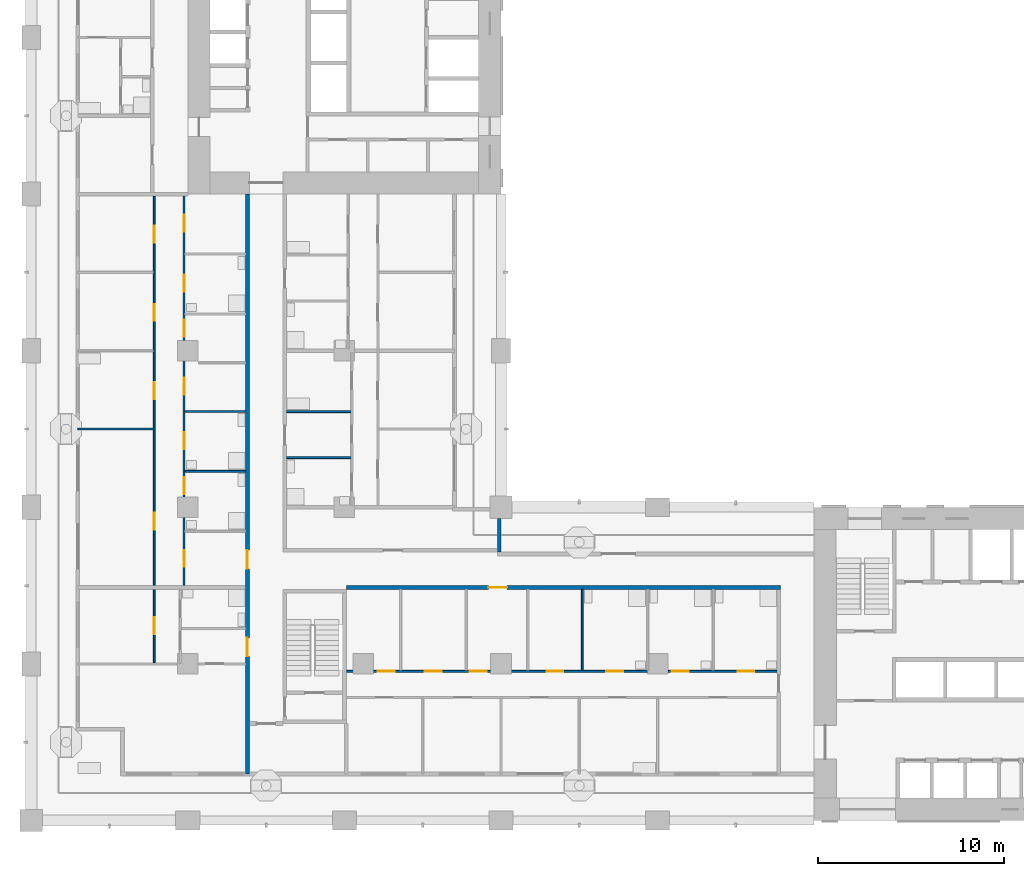
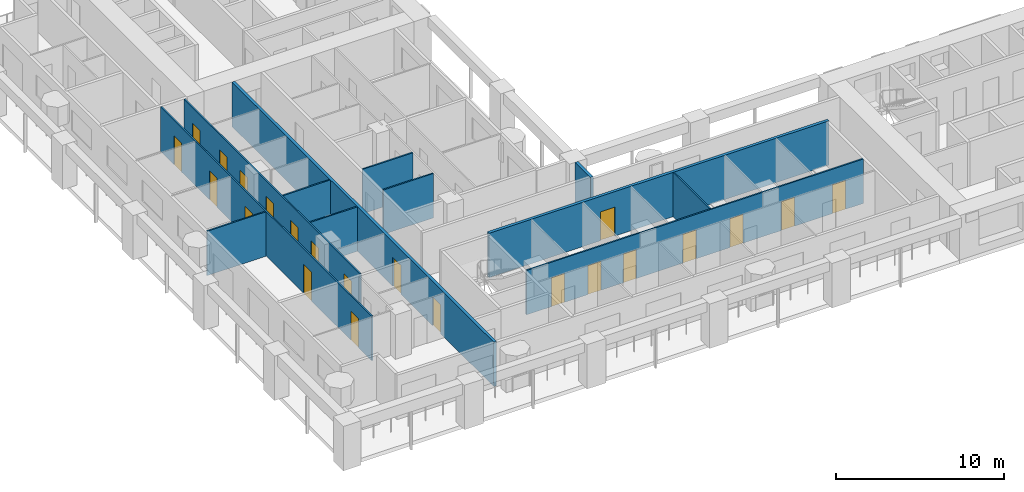
# One storey, part 3 of 19: 22 doors, 12 walls, 22 openings.
"""IFC4 building model written with IfcOpenShell, lengths in metres."""

import ifcopenshell
import ifcopenshell.guid

model = None  # the IFC model being written
_history = None  # IfcOwnerHistory: only IFC2X3 demands one
_inside = {}  # id of a spatial element -> (the spatial element, [elements in it])
_under = {}  # id of a project, library or spatial element -> (it, [spatial elements below it])
_declared = {}  # id of a project -> (the project, [libraries it declares])
_typed = {}  # id of a type object -> (the type object, [elements of that type])
_made_of = {}  # id of a material, layer set ... -> (it, [elements and type objects made of it])


def new_model(schema):
    """Start an empty IFC model of exactly this schema.

    Asked for "IFC4X3", IfcOpenShell would pick the latest addendum, in which some entities
    have other attributes; the version numbers below select the first issue.
    IFC2X3 requires an IfcOwnerHistory on every rooted entity: one is made here for all.
    """
    global model, _history
    if schema == "IFC4X3":
        model = ifcopenshell.file(schema_version=(4, 3, 0, 0))
    else:
        model = ifcopenshell.file(schema=schema)
    _inside.clear()
    _under.clear()
    _declared.clear()
    _typed.clear()
    _made_of.clear()
    _history = None
    if model.schema == "IFC2X3":
        org = make("IfcOrganization", Name="unknown")
        user = make(
            "IfcPersonAndOrganization",
            ThePerson=make("IfcPerson", FamilyName="unknown"),
            TheOrganization=org,
        )
        app = make(
            "IfcApplication",
            ApplicationDeveloper=org,
            Version="unknown",
            ApplicationFullName="unknown",
            ApplicationIdentifier="unknown",
        )
        _history = make(
            "IfcOwnerHistory",
            OwningUser=user,
            OwningApplication=app,
            ChangeAction="ADDED",
            CreationDate=0,
        )
    return model


def make(cls, **values):
    """One entity of the class cls with the attributes given. An attribute that is None is left unset."""
    return model.create_entity(
        cls, **{name: value for name, value in values.items() if value is not None}
    )


def rooted(cls, **values):
    """An entity with a GlobalId (a new one), such as an element, a storey or a relation."""
    return make(cls, GlobalId=ifcopenshell.guid.new(), OwnerHistory=_history, **values)


def si_unit(unit_type, name, prefix=None):
    """IfcSIUnit, for example si_unit("LENGTHUNIT", "METRE", prefix="MILLI")."""
    return make("IfcSIUnit", UnitType=unit_type, Prefix=prefix, Name=name)


def assignment(units):
    """IfcUnitAssignment: the units of a project."""
    return None if units is None else make("IfcUnitAssignment", Units=units)


def point(xyz):
    """IfcCartesianPoint."""
    return None if xyz is None else make("IfcCartesianPoint", Coordinates=xyz)


def direction(xyz):
    """IfcDirection."""
    return None if xyz is None else make("IfcDirection", DirectionRatios=xyz)


def frame(location, z_axis=None, x_axis=None):
    """IfcAxis2Placement3D, a coordinate frame: its origin and axes. An axis left out is left unset."""
    return make(
        "IfcAxis2Placement3D",
        Location=point(location),
        Axis=direction(z_axis),
        RefDirection=direction(x_axis),
    )


def frame_2d(location, x_axis=None):
    """IfcAxis2Placement2D, a coordinate frame in the plane: its origin and x axis."""
    return make(
        "IfcAxis2Placement2D", Location=point(location), RefDirection=direction(x_axis)
    )


def origin():
    """The frame at (0, 0, 0) with its axes left unset."""
    return frame((0.0, 0.0, 0.0))


def place(relative_to, where):
    """IfcLocalPlacement: puts the frame where relative to a parent placement (None: the world)."""
    return make(
        "IfcLocalPlacement", PlacementRelTo=relative_to, RelativePlacement=where
    )


def context(
    kind, dimensions, precision=None, world=None, true_north=None, identifier=None
):
    """IfcGeometricRepresentationContext, for example the 3D "Model" context."""
    return make(
        "IfcGeometricRepresentationContext",
        ContextIdentifier=identifier,
        ContextType=kind,
        CoordinateSpaceDimension=dimensions,
        Precision=precision,
        WorldCoordinateSystem=world,
        TrueNorth=true_north,
    )


def subcontext(parent, identifier, kind, view, scale=None):
    """IfcGeometricRepresentationSubContext, for example "Body" below "Model"."""
    return make(
        "IfcGeometricRepresentationSubContext",
        ContextIdentifier=identifier,
        ContextType=kind,
        ParentContext=parent,
        TargetScale=scale,
        TargetView=view,
    )


def project(units=None, contexts=None):
    """IfcProject with its units and contexts."""
    return rooted(
        "IfcProject",
        Name="project",
        RepresentationContexts=contexts,
        UnitsInContext=assignment(units),
    )


def spatial(cls, under=None, at=None, **own):
    """A site, building, storey or space (cls), placed at a placement, below another one or the project."""
    s = rooted(cls, ObjectPlacement=at, **own)
    if under is not None:
        _under.setdefault(under.id(), (under, []))[1].append(s)
    return s


def profile(cls, at=None, kind="AREA", **sizes):
    """A parametric profile (cls). Its sizes go by their IFC names, for example OverallWidth=200.0."""
    return make(cls, ProfileType=kind, Position=at, **sizes)


def rectangle(**sizes):
    """IfcRectangleProfileDef."""
    return profile("IfcRectangleProfileDef", **sizes)


def extrude(swept, where, along, depth):
    """IfcExtrudedAreaSolid: the profile swept, set in the frame where, extruded along a direction by depth."""
    return make(
        "IfcExtrudedAreaSolid",
        SweptArea=swept,
        Position=where,
        ExtrudedDirection=direction(along),
        Depth=depth,
    )


def shape(context_of_items, identifier, shape_type, items):
    """IfcShapeRepresentation: the items that make up one representation, for example the "Body"."""
    return make(
        "IfcShapeRepresentation",
        ContextOfItems=context_of_items,
        RepresentationIdentifier=identifier,
        RepresentationType=shape_type,
        Items=items,
    )


def material(Name=None, Category=None):
    """IfcMaterial."""
    return make("IfcMaterial", Name=Name, Category=Category)


def layer(
    of_material, thickness, ventilated=None, Name=None, Category=None, Priority=None
):
    """IfcMaterialLayer: one layer of a wall or slab, of a material (None: an air gap)."""
    return make(
        "IfcMaterialLayer",
        Material=of_material,
        LayerThickness=thickness,
        IsVentilated=ventilated,
        Name=Name,
        Category=Category,
        Priority=Priority,
    )


def layer_set(layers, Name=None):
    """IfcMaterialLayerSet."""
    return make("IfcMaterialLayerSet", MaterialLayers=layers, LayerSetName=Name)


def made_of(thing, what):
    """Note that an element or type object is made of a material, layer set ...; save() writes the relation."""
    if what is not None:
        _made_of.setdefault(what.id(), (what, []))[1].append(thing)
    return thing


def type_object(cls, material=None, **own):
    """A type object (cls), such as IfcWallType, which elements share."""
    return made_of(rooted(cls, **own), material)


def element(
    cls,
    number,
    at=None,
    inside=None,
    cuts=None,
    type_object=None,
    material=None,
    context=None,
    identifier="Body",
    shape_type=None,
    held_by="IfcProductDefinitionShape",
    body=None,
    shapes=None,
    **own,
):
    """One element of the class cls, such as IfcWall. Its Tag is "e" and its number.

    at: its placement. inside: the storey or other place that contains it. cuts: it is an
    opening in that element (IfcRelVoidsElement). A single representation is given by context,
    identifier, shape_type and body (its items); several are given by shapes. held_by: the class
    of the entity that holds the representations. save() writes the other relations.
    """
    e = rooted(cls, Tag="e%d" % number, ObjectPlacement=at, **own)
    if body is not None:
        shapes = [shape(context, identifier, shape_type, body)]
    if shapes is not None:
        e.Representation = make(held_by, Representations=shapes)
    if inside is not None:
        _inside.setdefault(inside.id(), (inside, []))[1].append(e)
    if cuts is not None:
        rooted(
            "IfcRelVoidsElement", RelatingBuildingElement=cuts, RelatedOpeningElement=e
        )
    if type_object is not None:
        _typed.setdefault(type_object.id(), (type_object, []))[1].append(e)
    return made_of(e, material)


def fill(opening, filler):
    """IfcRelFillsElement: the door or window that sits in an opening."""
    return rooted(
        "IfcRelFillsElement",
        RelatingOpeningElement=opening,
        RelatedBuildingElement=filler,
    )


def aggregate(whole, parts):
    """IfcRelAggregates: a whole, such as a stair, and the parts it consists of."""
    return rooted("IfcRelAggregates", RelatingObject=whole, RelatedObjects=parts)


def save(model, path):
    """Write the relations noted so far, then the file.

    IfcRelAggregates (storeys below a building ...), IfcRelContainedInSpatialStructure (elements
    in a storey), IfcRelDefinesByType, IfcRelAssociatesMaterial and IfcRelDeclares: one each for
    every whole, place, type object, material and project.
    """
    for whole, parts in _under.values():
        aggregate(whole, parts)
    for where, things in _inside.values():
        rooted(
            "IfcRelContainedInSpatialStructure",
            RelatedElements=things,
            RelatingStructure=where,
        )
    for kind, things in _typed.values():
        rooted("IfcRelDefinesByType", RelatedObjects=things, RelatingType=kind)
    for what, things in _made_of.values():
        rooted("IfcRelAssociatesMaterial", RelatedObjects=things, RelatingMaterial=what)
    for by, libraries in _declared.values():
        rooted("IfcRelDeclares", RelatingContext=by, RelatedDefinitions=libraries)
    model.write(path)


model = new_model("IFC4")

# Units and contexts
model_context = context("Model", 3, precision=1e-05, world=origin(), true_north=direction((0.0, 1.0)))
body_context = subcontext(model_context, "Body", "Model", "MODEL_VIEW")
ifc_project = project(units=[si_unit("LENGTHUNIT", "METRE"), si_unit("AREAUNIT", "SQUARE_METRE"), si_unit("VOLUMEUNIT", "CUBIC_METRE"), si_unit("PLANEANGLEUNIT", "RADIAN"), si_unit("MASSUNIT", "GRAM", prefix="KILO")], contexts=[model_context])

# Site, building, storey
site_placement = place(None, origin())
site = spatial("IfcSite", under=ifc_project, at=site_placement, CompositionType="ELEMENT")
building_placement = place(site_placement, origin())
building = spatial("IfcBuilding", under=site, at=building_placement, Name="Vermilion Gate Residences", CompositionType="ELEMENT")
storey_placement = place(building_placement, frame((0.0, 0.0, 123.199951171875)))
storey = spatial("IfcBuildingStorey", under=building, at=storey_placement, Name="L31", CompositionType="ELEMENT", Elevation=123.199951171875)

# Wall
ifc_material_1 = material(Name="Insulated steel stud wall with terracotta rainscreen", Category="masonry")
ifc_layer_1 = layer(ifc_material_1, 0.199951171875)
ifc_layer_set_1 = layer_set([ifc_layer_1], Name="EXTERNAL WALL 200 TERRACOTTA RAINSCREEN")
wall_type_1 = type_object("IfcWallType", Name="EXTERNAL WALL 200 TERRACOTTA RAINSCREEN", PredefinedType="SOLIDWALL", material=ifc_layer_set_1)
wall_1_placement = place(storey_placement, frame((25.10009765625, 22.800048828125, 0.0), z_axis=(0.0, 0.0, 1.0), x_axis=(0.0, 1.0, 0.0)))
element("IfcWall", 1, at=wall_1_placement, inside=storey, type_object=wall_type_1, Name="External wall", PredefinedType="SOLIDWALL", context=body_context, shape_type="SweptSolid", body=[
    extrude(rectangle(XDim=1.800048828125, YDim=0.199951171875, at=frame_2d((0.89990234375, 0.0))), origin(), (0.0, 0.0, 1.0), 3.219970703125),
])

# Wall, openings, doors
ifc_material_2 = material(Name="Plasterboard on steel studs", Category="steel")
ifc_layer_2 = layer(ifc_material_2, 0.10009765625)
ifc_layer_set_2 = layer_set([ifc_layer_2], Name="PARTITION 100")
wall_type_2 = type_object("IfcWallType", Name="PARTITION 100", PredefinedType="PARTITIONING", material=ifc_layer_set_2)
wall_2_placement = place(storey_placement, frame((16.89990234375, 16.39990234375, 0.0), z_axis=(0.0, 0.0, 1.0), x_axis=(1.0, 0.0, 0.0)))
wall_2 = element("IfcWall", 2, at=wall_2_placement, inside=storey, type_object=wall_type_2, Name="Partition", PredefinedType="PARTITIONING", context=body_context, shape_type="SweptSolid", body=[
    extrude(rectangle(XDim=23.10009765625, YDim=0.10009765625, at=frame_2d((11.550048828125, 0.0))), origin(), (0.0, 0.0, 1.0), 3.219970703125),
])
opening_1_placement = place(wall_2_placement, frame((6.62890625, 0.0, 0.0)))
opening_1 = element("IfcOpeningElement", 3, at=opening_1_placement, cuts=wall_2, Name="Opening DA30007", PredefinedType="OPENING", context=body_context, shape_type="SweptSolid", body=[
    extrude(rectangle(XDim=0.89990234375, YDim=2.10009765625, at=frame_2d((0.449951171875, 1.050048828125))), frame((0.0, 0.06005859375, 0.0), z_axis=(0.0, -1.0, 0.0), x_axis=(1.0, 0.0, 0.0)), (0.0, 0.0, 1.0), 0.1201171875),
])
opening_2_placement = place(wall_2_placement, frame((1.699951171875, 0.0, 0.0)))
opening_2 = element("IfcOpeningElement", 4, at=opening_2_placement, cuts=wall_2, Name="Opening DA30008", PredefinedType="OPENING", context=body_context, shape_type="SweptSolid", body=[
    extrude(rectangle(XDim=0.89990234375, YDim=2.10009765625, at=frame_2d((0.449951171875, 1.050048828125))), frame((0.0, 0.06005859375, 0.0), z_axis=(0.0, -1.0, 0.0), x_axis=(1.0, 0.0, 0.0)), (0.0, 0.0, 1.0), 0.1201171875),
])
opening_3_placement = place(wall_2_placement, frame((4.214111328125, 0.0, 0.0)))
opening_3 = element("IfcOpeningElement", 5, at=opening_3_placement, cuts=wall_2, Name="Opening DA30009", PredefinedType="OPENING", context=body_context, shape_type="SweptSolid", body=[
    extrude(rectangle(XDim=0.89990234375, YDim=2.10009765625, at=frame_2d((0.449951171875, 1.050048828125))), frame((0.0, 0.06005859375, 0.0), z_axis=(0.0, -1.0, 0.0), x_axis=(1.0, 0.0, 0.0)), (0.0, 0.0, 1.0), 0.1201171875),
])
opening_4_placement = place(wall_2_placement, frame((10.742919921875, 0.0, 0.0)))
opening_4 = element("IfcOpeningElement", 6, at=opening_4_placement, cuts=wall_2, Name="Opening DA30010", PredefinedType="OPENING", context=body_context, shape_type="SweptSolid", body=[
    extrude(rectangle(XDim=0.89990234375, YDim=2.10009765625, at=frame_2d((0.449951171875, 1.050048828125))), frame((0.0, 0.06005859375, 0.0), z_axis=(0.0, -1.0, 0.0), x_axis=(1.0, 0.0, 0.0)), (0.0, 0.0, 1.0), 0.1201171875),
])
opening_5_placement = place(wall_2_placement, frame((13.95703125, 0.0, 0.0)))
opening_5 = element("IfcOpeningElement", 7, at=opening_5_placement, cuts=wall_2, Name="Opening DA30011", PredefinedType="OPENING", context=body_context, shape_type="SweptSolid", body=[
    extrude(rectangle(XDim=0.89990234375, YDim=2.10009765625, at=frame_2d((0.449951171875, 1.050048828125))), frame((0.0, 0.06005859375, 0.0), z_axis=(0.0, -1.0, 0.0), x_axis=(1.0, 0.0, 0.0)), (0.0, 0.0, 1.0), 0.1201171875),
])
opening_6_placement = place(wall_2_placement, frame((17.471923828125, 0.0, 0.0)))
opening_6 = element("IfcOpeningElement", 8, at=opening_6_placement, cuts=wall_2, Name="Opening DA30012", PredefinedType="OPENING", context=body_context, shape_type="SweptSolid", body=[
    extrude(rectangle(XDim=0.89990234375, YDim=2.10009765625, at=frame_2d((0.449951171875, 1.050048828125))), frame((0.0, 0.06005859375, 0.0), z_axis=(0.0, -1.0, 0.0), x_axis=(1.0, 0.0, 0.0)), (0.0, 0.0, 1.0), 0.1201171875),
])
opening_7_placement = place(wall_2_placement, frame((20.986083984375, 0.0, 0.0)))
opening_7 = element("IfcOpeningElement", 9, at=opening_7_placement, cuts=wall_2, Name="Opening DA30013", PredefinedType="OPENING", context=body_context, shape_type="SweptSolid", body=[
    extrude(rectangle(XDim=0.89990234375, YDim=2.10009765625, at=frame_2d((0.449951171875, 1.050048828125))), frame((0.0, 0.06005859375, 0.0), z_axis=(0.0, -1.0, 0.0), x_axis=(1.0, 0.0, 0.0)), (0.0, 0.0, 1.0), 0.1201171875),
])
ifc_material_3 = material(Name="Timber", Category="wood")
door_type_1 = type_object("IfcDoorType", Name="INTERIOR DOOR 900 X 2100", OperationType="SINGLE_SWING_LEFT", PredefinedType="DOOR", material=ifc_material_3)
door_1_placement = place(opening_1_placement, origin())
door_1 = element("IfcDoor", 10, at=door_1_placement, inside=storey, type_object=door_type_1, Name="Interior door", OperationType="SINGLE_SWING_LEFT", OverallHeight=2.10009765625, OverallWidth=0.89990234375, PredefinedType="DOOR", context=body_context, shape_type="SweptSolid", body=[
    extrude(rectangle(XDim=0.89990234375, YDim=2.10009765625, at=frame_2d((0.449951171875, 1.050048828125))), frame((0.0, 0.02490234375, 0.0), z_axis=(0.0, -1.0, 0.0), x_axis=(1.0, 0.0, 0.0)), (0.0, 0.0, 1.0), 0.050048828125),
])
fill(opening_1, door_1)
door_2_placement = place(opening_2_placement, origin())
door_2 = element("IfcDoor", 11, at=door_2_placement, inside=storey, type_object=door_type_1, Name="Interior door", OperationType="SINGLE_SWING_LEFT", OverallHeight=2.10009765625, OverallWidth=0.89990234375, PredefinedType="DOOR", context=body_context, shape_type="SweptSolid", body=[
    extrude(rectangle(XDim=0.89990234375, YDim=2.10009765625, at=frame_2d((0.449951171875, 1.050048828125))), frame((0.0, 0.02490234375, 0.0), z_axis=(0.0, -1.0, 0.0), x_axis=(1.0, 0.0, 0.0)), (0.0, 0.0, 1.0), 0.050048828125),
])
fill(opening_2, door_2)
door_3_placement = place(opening_3_placement, origin())
door_3 = element("IfcDoor", 12, at=door_3_placement, inside=storey, type_object=door_type_1, Name="Interior door", OperationType="SINGLE_SWING_LEFT", OverallHeight=2.10009765625, OverallWidth=0.89990234375, PredefinedType="DOOR", context=body_context, shape_type="SweptSolid", body=[
    extrude(rectangle(XDim=0.89990234375, YDim=2.10009765625, at=frame_2d((0.449951171875, 1.050048828125))), frame((0.0, 0.02490234375, 0.0), z_axis=(0.0, -1.0, 0.0), x_axis=(1.0, 0.0, 0.0)), (0.0, 0.0, 1.0), 0.050048828125),
])
fill(opening_3, door_3)
door_4_placement = place(opening_4_placement, origin())
door_4 = element("IfcDoor", 13, at=door_4_placement, inside=storey, type_object=door_type_1, Name="Interior door", OperationType="SINGLE_SWING_LEFT", OverallHeight=2.10009765625, OverallWidth=0.89990234375, PredefinedType="DOOR", context=body_context, shape_type="SweptSolid", body=[
    extrude(rectangle(XDim=0.89990234375, YDim=2.10009765625, at=frame_2d((0.449951171875, 1.050048828125))), frame((0.0, 0.02490234375, 0.0), z_axis=(0.0, -1.0, 0.0), x_axis=(1.0, 0.0, 0.0)), (0.0, 0.0, 1.0), 0.050048828125),
])
fill(opening_4, door_4)
door_5_placement = place(opening_5_placement, origin())
door_5 = element("IfcDoor", 14, at=door_5_placement, inside=storey, type_object=door_type_1, Name="Interior door", OperationType="SINGLE_SWING_RIGHT", OverallHeight=2.10009765625, OverallWidth=0.89990234375, PredefinedType="DOOR", context=body_context, shape_type="SweptSolid", body=[
    extrude(rectangle(XDim=0.89990234375, YDim=2.10009765625, at=frame_2d((0.449951171875, 1.050048828125))), frame((0.0, 0.02490234375, 0.0), z_axis=(0.0, -1.0, 0.0), x_axis=(1.0, 0.0, 0.0)), (0.0, 0.0, 1.0), 0.050048828125),
])
fill(opening_5, door_5)
door_6_placement = place(opening_6_placement, origin())
door_6 = element("IfcDoor", 15, at=door_6_placement, inside=storey, type_object=door_type_1, Name="Interior door", OperationType="SINGLE_SWING_LEFT", OverallHeight=2.10009765625, OverallWidth=0.89990234375, PredefinedType="DOOR", context=body_context, shape_type="SweptSolid", body=[
    extrude(rectangle(XDim=0.89990234375, YDim=2.10009765625, at=frame_2d((0.449951171875, 1.050048828125))), frame((0.0, 0.02490234375, 0.0), z_axis=(0.0, -1.0, 0.0), x_axis=(1.0, 0.0, 0.0)), (0.0, 0.0, 1.0), 0.050048828125),
])
fill(opening_6, door_6)
door_7_placement = place(opening_7_placement, origin())
door_7 = element("IfcDoor", 16, at=door_7_placement, inside=storey, type_object=door_type_1, Name="Interior door", OperationType="SINGLE_SWING_RIGHT", OverallHeight=2.10009765625, OverallWidth=0.89990234375, PredefinedType="DOOR", context=body_context, shape_type="SweptSolid", body=[
    extrude(rectangle(XDim=0.89990234375, YDim=2.10009765625, at=frame_2d((0.449951171875, 1.050048828125))), frame((0.0, 0.02490234375, 0.0), z_axis=(0.0, -1.0, 0.0), x_axis=(1.0, 0.0, 0.0)), (0.0, 0.0, 1.0), 0.050048828125),
])
fill(opening_7, door_7)

# Walls
wall_3_placement = place(storey_placement, frame((8.25, 27.12890625, 0.0), z_axis=(0.0, 0.0, 1.0), x_axis=(1.0, 0.0, 0.0)))
element("IfcWall", 17, at=wall_3_placement, inside=storey, type_object=wall_type_2, Name="Partition", PredefinedType="PARTITIONING", context=body_context, shape_type="SweptSolid", body=[
    extrude(rectangle(XDim=3.25, YDim=0.10009765625, at=frame_2d((1.625, 0.0))), origin(), (0.0, 0.0, 1.0), 3.219970703125),
])
wall_4_placement = place(storey_placement, frame((13.699951171875, 27.866943359375, 0.0), z_axis=(0.0, 0.0, 1.0), x_axis=(1.0, 0.0, 0.0)))
element("IfcWall", 18, at=wall_4_placement, inside=storey, type_object=wall_type_2, Name="Partition", PredefinedType="PARTITIONING", context=body_context, shape_type="SweptSolid", body=[
    extrude(rectangle(XDim=3.449951171875, YDim=0.10009765625, at=frame_2d((1.72509765625, 0.0))), origin(), (0.0, 0.0, 1.0), 3.219970703125),
])
wall_5_placement = place(storey_placement, frame((2.5, 29.39990234375, 0.0), z_axis=(0.0, 0.0, 1.0), x_axis=(1.0, 0.0, 0.0)))
element("IfcWall", 19, at=wall_5_placement, inside=storey, type_object=wall_type_2, Name="Partition", PredefinedType="PARTITIONING", context=body_context, shape_type="SweptSolid", body=[
    extrude(rectangle(XDim=4.050048828125, YDim=0.10009765625, at=frame_2d((2.02490234375, 0.0))), origin(), (0.0, 0.0, 1.0), 3.219970703125),
])
wall_6_placement = place(storey_placement, frame((13.699951171875, 30.3330078125, 0.0), z_axis=(0.0, 0.0, 1.0), x_axis=(1.0, 0.0, 0.0)))
element("IfcWall", 20, at=wall_6_placement, inside=storey, type_object=wall_type_2, Name="Partition", PredefinedType="PARTITIONING", context=body_context, shape_type="SweptSolid", body=[
    extrude(rectangle(XDim=3.449951171875, YDim=0.10009765625, at=frame_2d((1.72509765625, 0.0))), origin(), (0.0, 0.0, 1.0), 3.219970703125),
])
wall_7_placement = place(storey_placement, frame((8.25, 30.343017578125, 0.0), z_axis=(0.0, 0.0, 1.0), x_axis=(1.0, 0.0, 0.0)))
element("IfcWall", 21, at=wall_7_placement, inside=storey, type_object=wall_type_2, Name="Partition", PredefinedType="PARTITIONING", context=body_context, shape_type="SweptSolid", body=[
    extrude(rectangle(XDim=3.25, YDim=0.10009765625, at=frame_2d((1.625, 0.0))), origin(), (0.0, 0.0, 1.0), 3.219970703125),
])

# Wall, openings, doors
wall_8_placement = place(storey_placement, frame((6.60009765625, 16.85009765625, 0.0), z_axis=(0.0, 0.0, 1.0), x_axis=(0.0, 1.0, 0.0)))
wall_8 = element("IfcWall", 22, at=wall_8_placement, inside=storey, type_object=wall_type_2, Name="Partition", PredefinedType="PARTITIONING", context=body_context, shape_type="SweptSolid", body=[
    extrude(rectangle(XDim=25.0498046875, YDim=0.10009765625, at=frame_2d((12.52490234375, 0.0))), origin(), (0.0, 0.0, 1.0), 3.219970703125),
])
opening_8_placement = place(wall_8_placement, frame((1.550048828125, 0.0, 0.0)))
opening_8 = element("IfcOpeningElement", 23, at=opening_8_placement, cuts=wall_8, Name="Opening DA30022", PredefinedType="OPENING", context=body_context, shape_type="SweptSolid", body=[
    extrude(rectangle(XDim=0.89990234375, YDim=2.10009765625, at=frame_2d((0.449951171875, 1.050048828125))), frame((0.0, 0.06005859375, 0.0), z_axis=(0.0, -1.0, 0.0), x_axis=(1.0, 0.0, 0.0)), (0.0, 0.0, 1.0), 0.1201171875),
])
opening_9_placement = place(wall_8_placement, frame((7.14990234375, 0.0, 0.0)))
opening_9 = element("IfcOpeningElement", 24, at=opening_9_placement, cuts=wall_8, Name="Opening DA30023", PredefinedType="OPENING", context=body_context, shape_type="SweptSolid", body=[
    extrude(rectangle(XDim=0.89990234375, YDim=2.10009765625, at=frame_2d((0.449951171875, 1.050048828125))), frame((0.0, 0.06005859375, 0.0), z_axis=(0.0, -1.0, 0.0), x_axis=(1.0, 0.0, 0.0)), (0.0, 0.0, 1.0), 0.1201171875),
])
opening_10_placement = place(wall_8_placement, frame((14.14990234375, 0.0, 0.0)))
opening_10 = element("IfcOpeningElement", 25, at=opening_10_placement, cuts=wall_8, Name="Opening DA30024", PredefinedType="OPENING", context=body_context, shape_type="SweptSolid", body=[
    extrude(rectangle(XDim=0.89990234375, YDim=2.10009765625, at=frame_2d((0.449951171875, 1.050048828125))), frame((0.0, 0.06005859375, 0.0), z_axis=(0.0, -1.0, 0.0), x_axis=(1.0, 0.0, 0.0)), (0.0, 0.0, 1.0), 0.1201171875),
])
opening_11_placement = place(wall_8_placement, frame((18.35009765625, 0.0, 0.0)))
opening_11 = element("IfcOpeningElement", 26, at=opening_11_placement, cuts=wall_8, Name="Opening DA30025", PredefinedType="OPENING", context=body_context, shape_type="SweptSolid", body=[
    extrude(rectangle(XDim=0.89990234375, YDim=2.10009765625, at=frame_2d((0.449951171875, 1.050048828125))), frame((0.0, 0.06005859375, 0.0), z_axis=(0.0, -1.0, 0.0), x_axis=(1.0, 0.0, 0.0)), (0.0, 0.0, 1.0), 0.1201171875),
])
opening_12_placement = place(wall_8_placement, frame((22.550048828125, 0.0, 0.0)))
opening_12 = element("IfcOpeningElement", 27, at=opening_12_placement, cuts=wall_8, Name="Opening DA30026", PredefinedType="OPENING", context=body_context, shape_type="SweptSolid", body=[
    extrude(rectangle(XDim=0.89990234375, YDim=2.10009765625, at=frame_2d((0.449951171875, 1.050048828125))), frame((0.0, 0.06005859375, 0.0), z_axis=(0.0, -1.0, 0.0), x_axis=(1.0, 0.0, 0.0)), (0.0, 0.0, 1.0), 0.1201171875),
])
door_8_placement = place(opening_8_placement, origin())
door_8 = element("IfcDoor", 28, at=door_8_placement, inside=storey, type_object=door_type_1, Name="Interior door", OperationType="SINGLE_SWING_RIGHT", OverallHeight=2.10009765625, OverallWidth=0.89990234375, PredefinedType="DOOR", context=body_context, shape_type="SweptSolid", body=[
    extrude(rectangle(XDim=0.89990234375, YDim=2.10009765625, at=frame_2d((0.449951171875, 1.050048828125))), frame((0.0, 0.02490234375, 0.0), z_axis=(0.0, -1.0, 0.0), x_axis=(1.0, 0.0, 0.0)), (0.0, 0.0, 1.0), 0.050048828125),
])
fill(opening_8, door_8)
door_9_placement = place(opening_9_placement, origin())
door_9 = element("IfcDoor", 29, at=door_9_placement, inside=storey, type_object=door_type_1, Name="Interior door", OperationType="SINGLE_SWING_LEFT", OverallHeight=2.10009765625, OverallWidth=0.89990234375, PredefinedType="DOOR", context=body_context, shape_type="SweptSolid", body=[
    extrude(rectangle(XDim=0.89990234375, YDim=2.10009765625, at=frame_2d((0.449951171875, 1.050048828125))), frame((0.0, 0.02490234375, 0.0), z_axis=(0.0, -1.0, 0.0), x_axis=(1.0, 0.0, 0.0)), (0.0, 0.0, 1.0), 0.050048828125),
])
fill(opening_9, door_9)
door_10_placement = place(opening_10_placement, origin())
door_10 = element("IfcDoor", 30, at=door_10_placement, inside=storey, type_object=door_type_1, Name="Interior door", OperationType="SINGLE_SWING_LEFT", OverallHeight=2.10009765625, OverallWidth=0.89990234375, PredefinedType="DOOR", context=body_context, shape_type="SweptSolid", body=[
    extrude(rectangle(XDim=0.89990234375, YDim=2.10009765625, at=frame_2d((0.449951171875, 1.050048828125))), frame((0.0, 0.02490234375, 0.0), z_axis=(0.0, -1.0, 0.0), x_axis=(1.0, 0.0, 0.0)), (0.0, 0.0, 1.0), 0.050048828125),
])
fill(opening_10, door_10)
door_11_placement = place(opening_11_placement, origin())
door_11 = element("IfcDoor", 31, at=door_11_placement, inside=storey, type_object=door_type_1, Name="Interior door", OperationType="SINGLE_SWING_LEFT", OverallHeight=2.10009765625, OverallWidth=0.89990234375, PredefinedType="DOOR", context=body_context, shape_type="SweptSolid", body=[
    extrude(rectangle(XDim=0.89990234375, YDim=2.10009765625, at=frame_2d((0.449951171875, 1.050048828125))), frame((0.0, 0.02490234375, 0.0), z_axis=(0.0, -1.0, 0.0), x_axis=(1.0, 0.0, 0.0)), (0.0, 0.0, 1.0), 0.050048828125),
])
fill(opening_11, door_11)
door_12_placement = place(opening_12_placement, origin())
door_12 = element("IfcDoor", 32, at=door_12_placement, inside=storey, type_object=door_type_1, Name="Interior door", OperationType="SINGLE_SWING_LEFT", OverallHeight=2.10009765625, OverallWidth=0.89990234375, PredefinedType="DOOR", context=body_context, shape_type="SweptSolid", body=[
    extrude(rectangle(XDim=0.89990234375, YDim=2.10009765625, at=frame_2d((0.449951171875, 1.050048828125))), frame((0.0, 0.02490234375, 0.0), z_axis=(0.0, -1.0, 0.0), x_axis=(1.0, 0.0, 0.0)), (0.0, 0.0, 1.0), 0.050048828125),
])
fill(opening_12, door_12)

wall_9_placement = place(storey_placement, frame((8.199951171875, 21.0, 0.0), z_axis=(0.0, 0.0, 1.0), x_axis=(0.0, 1.0, 0.0)))
wall_9 = element("IfcWall", 33, at=wall_9_placement, inside=storey, type_object=wall_type_2, Name="Partition", PredefinedType="PARTITIONING", context=body_context, shape_type="SweptSolid", body=[
    extrude(rectangle(XDim=20.89990234375, YDim=0.10009765625, at=frame_2d((10.449951171875, 0.0))), origin(), (0.0, 0.0, 1.0), 3.219970703125),
])
opening_13_placement = place(wall_9_placement, frame((1.0, 0.0, 0.0)))
opening_13 = element("IfcOpeningElement", 34, at=opening_13_placement, cuts=wall_9, Name="Opening DA30029", PredefinedType="OPENING", context=body_context, shape_type="SweptSolid", body=[
    extrude(rectangle(XDim=0.89990234375, YDim=2.10009765625, at=frame_2d((0.449951171875, 1.050048828125))), frame((0.0, 0.06005859375, 0.0), z_axis=(0.0, -1.0, 0.0), x_axis=(1.0, 0.0, 0.0)), (0.0, 0.0, 1.0), 0.1201171875),
])
opening_14_placement = place(wall_9_placement, frame((4.9140625, 0.0, 0.0)))
opening_14 = element("IfcOpeningElement", 35, at=opening_14_placement, cuts=wall_9, Name="Opening DA30030", PredefinedType="OPENING", context=body_context, shape_type="SweptSolid", body=[
    extrude(rectangle(XDim=0.89990234375, YDim=2.10009765625, at=frame_2d((0.449951171875, 1.050048828125))), frame((0.0, 0.06005859375, 0.0), z_axis=(0.0, -1.0, 0.0), x_axis=(1.0, 0.0, 0.0)), (0.0, 0.0, 1.0), 0.1201171875),
])
opening_15_placement = place(wall_9_placement, frame((7.3291015625, 0.0, 0.0)))
opening_15 = element("IfcOpeningElement", 36, at=opening_15_placement, cuts=wall_9, Name="Opening DA30031", PredefinedType="OPENING", context=body_context, shape_type="SweptSolid", body=[
    extrude(rectangle(XDim=0.89990234375, YDim=2.10009765625, at=frame_2d((0.449951171875, 1.050048828125))), frame((0.0, 0.06005859375, 0.0), z_axis=(0.0, -1.0, 0.0), x_axis=(1.0, 0.0, 0.0)), (0.0, 0.0, 1.0), 0.1201171875),
])
opening_16_placement = place(wall_9_placement, frame((10.242919921875, 0.0, 0.0)))
opening_16 = element("IfcOpeningElement", 37, at=opening_16_placement, cuts=wall_9, Name="Opening DA30032", PredefinedType="OPENING", context=body_context, shape_type="SweptSolid", body=[
    extrude(rectangle(XDim=0.89990234375, YDim=2.10009765625, at=frame_2d((0.449951171875, 1.050048828125))), frame((0.0, 0.06005859375, 0.0), z_axis=(0.0, -1.0, 0.0), x_axis=(1.0, 0.0, 0.0)), (0.0, 0.0, 1.0), 0.1201171875),
])
opening_17_placement = place(wall_9_placement, frame((13.35693359375, 0.0, 0.0)))
opening_17 = element("IfcOpeningElement", 38, at=opening_17_placement, cuts=wall_9, Name="Opening DA30033", PredefinedType="OPENING", context=body_context, shape_type="SweptSolid", body=[
    extrude(rectangle(XDim=0.89990234375, YDim=2.10009765625, at=frame_2d((0.449951171875, 1.050048828125))), frame((0.0, 0.06005859375, 0.0), z_axis=(0.0, -1.0, 0.0), x_axis=(1.0, 0.0, 0.0)), (0.0, 0.0, 1.0), 0.1201171875),
])
opening_18_placement = place(wall_9_placement, frame((15.77197265625, 0.0, 0.0)))
opening_18 = element("IfcOpeningElement", 39, at=opening_18_placement, cuts=wall_9, Name="Opening DA30034", PredefinedType="OPENING", context=body_context, shape_type="SweptSolid", body=[
    extrude(rectangle(XDim=0.89990234375, YDim=2.10009765625, at=frame_2d((0.449951171875, 1.050048828125))), frame((0.0, 0.06005859375, 0.0), z_axis=(0.0, -1.0, 0.0), x_axis=(1.0, 0.0, 0.0)), (0.0, 0.0, 1.0), 0.1201171875),
])
opening_19_placement = place(wall_9_placement, frame((18.986083984375, 0.0, 0.0)))
opening_19 = element("IfcOpeningElement", 40, at=opening_19_placement, cuts=wall_9, Name="Opening DA30035", PredefinedType="OPENING", context=body_context, shape_type="SweptSolid", body=[
    extrude(rectangle(XDim=0.89990234375, YDim=2.10009765625, at=frame_2d((0.449951171875, 1.050048828125))), frame((0.0, 0.06005859375, 0.0), z_axis=(0.0, -1.0, 0.0), x_axis=(1.0, 0.0, 0.0)), (0.0, 0.0, 1.0), 0.1201171875),
])
door_13_placement = place(opening_13_placement, frame((0.89990234375, 0.0, 0.0), z_axis=(0.0, 0.0, 1.0), x_axis=(-1.0, 0.0, 0.0)))
door_13 = element("IfcDoor", 41, at=door_13_placement, inside=storey, type_object=door_type_1, Name="Interior door", OperationType="SINGLE_SWING_LEFT", OverallHeight=2.10009765625, OverallWidth=0.89990234375, PredefinedType="DOOR", context=body_context, shape_type="SweptSolid", body=[
    extrude(rectangle(XDim=0.89990234375, YDim=2.10009765625, at=frame_2d((0.449951171875, 1.050048828125))), frame((0.0, 0.02490234375, 0.0), z_axis=(0.0, -1.0, 0.0), x_axis=(1.0, 0.0, 0.0)), (0.0, 0.0, 1.0), 0.050048828125),
])
fill(opening_13, door_13)
door_14_placement = place(opening_14_placement, frame((0.89990234375, 0.0, 0.0), z_axis=(0.0, 0.0, 1.0), x_axis=(-1.0, 0.0, 0.0)))
door_14 = element("IfcDoor", 42, at=door_14_placement, inside=storey, type_object=door_type_1, Name="Interior door", OperationType="SINGLE_SWING_RIGHT", OverallHeight=2.10009765625, OverallWidth=0.89990234375, PredefinedType="DOOR", context=body_context, shape_type="SweptSolid", body=[
    extrude(rectangle(XDim=0.89990234375, YDim=2.10009765625, at=frame_2d((0.449951171875, 1.050048828125))), frame((0.0, 0.02490234375, 0.0), z_axis=(0.0, -1.0, 0.0), x_axis=(1.0, 0.0, 0.0)), (0.0, 0.0, 1.0), 0.050048828125),
])
fill(opening_14, door_14)
door_15_placement = place(opening_15_placement, frame((0.89990234375, 0.0, 0.0), z_axis=(0.0, 0.0, 1.0), x_axis=(-1.0, 0.0, 0.0)))
door_15 = element("IfcDoor", 43, at=door_15_placement, inside=storey, type_object=door_type_1, Name="Interior door", OperationType="SINGLE_SWING_RIGHT", OverallHeight=2.10009765625, OverallWidth=0.89990234375, PredefinedType="DOOR", context=body_context, shape_type="SweptSolid", body=[
    extrude(rectangle(XDim=0.89990234375, YDim=2.10009765625, at=frame_2d((0.449951171875, 1.050048828125))), frame((0.0, 0.02490234375, 0.0), z_axis=(0.0, -1.0, 0.0), x_axis=(1.0, 0.0, 0.0)), (0.0, 0.0, 1.0), 0.050048828125),
])
fill(opening_15, door_15)
door_16_placement = place(opening_16_placement, frame((0.89990234375, 0.0, 0.0), z_axis=(0.0, 0.0, 1.0), x_axis=(-1.0, 0.0, 0.0)))
door_16 = element("IfcDoor", 44, at=door_16_placement, inside=storey, type_object=door_type_1, Name="Interior door", OperationType="SINGLE_SWING_RIGHT", OverallHeight=2.10009765625, OverallWidth=0.89990234375, PredefinedType="DOOR", context=body_context, shape_type="SweptSolid", body=[
    extrude(rectangle(XDim=0.89990234375, YDim=2.10009765625, at=frame_2d((0.449951171875, 1.050048828125))), frame((0.0, 0.02490234375, 0.0), z_axis=(0.0, -1.0, 0.0), x_axis=(1.0, 0.0, 0.0)), (0.0, 0.0, 1.0), 0.050048828125),
])
fill(opening_16, door_16)
door_17_placement = place(opening_17_placement, frame((0.89990234375, 0.0, 0.0), z_axis=(0.0, 0.0, 1.0), x_axis=(-1.0, 0.0, 0.0)))
door_17 = element("IfcDoor", 45, at=door_17_placement, inside=storey, type_object=door_type_1, Name="Interior door", OperationType="SINGLE_SWING_RIGHT", OverallHeight=2.10009765625, OverallWidth=0.89990234375, PredefinedType="DOOR", context=body_context, shape_type="SweptSolid", body=[
    extrude(rectangle(XDim=0.89990234375, YDim=2.10009765625, at=frame_2d((0.449951171875, 1.050048828125))), frame((0.0, 0.02490234375, 0.0), z_axis=(0.0, -1.0, 0.0), x_axis=(1.0, 0.0, 0.0)), (0.0, 0.0, 1.0), 0.050048828125),
])
fill(opening_17, door_17)
door_18_placement = place(opening_18_placement, frame((0.89990234375, 0.0, 0.0), z_axis=(0.0, 0.0, 1.0), x_axis=(-1.0, 0.0, 0.0)))
door_18 = element("IfcDoor", 46, at=door_18_placement, inside=storey, type_object=door_type_1, Name="Interior door", OperationType="SINGLE_SWING_RIGHT", OverallHeight=2.10009765625, OverallWidth=0.89990234375, PredefinedType="DOOR", context=body_context, shape_type="SweptSolid", body=[
    extrude(rectangle(XDim=0.89990234375, YDim=2.10009765625, at=frame_2d((0.449951171875, 1.050048828125))), frame((0.0, 0.02490234375, 0.0), z_axis=(0.0, -1.0, 0.0), x_axis=(1.0, 0.0, 0.0)), (0.0, 0.0, 1.0), 0.050048828125),
])
fill(opening_18, door_18)
door_19_placement = place(opening_19_placement, frame((0.89990234375, 0.0, 0.0), z_axis=(0.0, 0.0, 1.0), x_axis=(-1.0, 0.0, 0.0)))
door_19 = element("IfcDoor", 47, at=door_19_placement, inside=storey, type_object=door_type_1, Name="Interior door", OperationType="SINGLE_SWING_LEFT", OverallHeight=2.10009765625, OverallWidth=0.89990234375, PredefinedType="DOOR", context=body_context, shape_type="SweptSolid", body=[
    extrude(rectangle(XDim=0.89990234375, YDim=2.10009765625, at=frame_2d((0.449951171875, 1.050048828125))), frame((0.0, 0.02490234375, 0.0), z_axis=(0.0, -1.0, 0.0), x_axis=(1.0, 0.0, 0.0)), (0.0, 0.0, 1.0), 0.050048828125),
])
fill(opening_19, door_19)

# Wall
wall_10_placement = place(storey_placement, frame((29.556884765625, 16.449951171875, 0.0), z_axis=(0.0, 0.0, 1.0), x_axis=(0.0, 1.0, 0.0)))
element("IfcWall", 48, at=wall_10_placement, inside=storey, type_object=wall_type_2, Name="Partition", PredefinedType="PARTITIONING", context=body_context, shape_type="SweptSolid", body=[
    extrude(rectangle(XDim=4.35009765625, YDim=0.10009765625, at=frame_2d((2.175048828125, 0.0))), origin(), (0.0, 0.0, 1.0), 3.219970703125),
])

# Wall, opening, door
ifc_material_4 = material(Name="Fire-rated plasterboard on steel studs", Category="steel")
ifc_layer_3 = layer(ifc_material_4, 0.199951171875)
ifc_layer_set_3 = layer_set([ifc_layer_3], Name="PARTY WALL 200 EI 120")
wall_type_3 = type_object("IfcWallType", Name="PARTY WALL 200 EI 120", PredefinedType="PARTITIONING", material=ifc_layer_set_3)
wall_11_placement = place(storey_placement, frame((16.89990234375, 20.89990234375, 0.0), z_axis=(0.0, 0.0, 1.0), x_axis=(1.0, 0.0, 0.0)))
wall_11 = element("IfcWall", 49, at=wall_11_placement, inside=storey, type_object=wall_type_3, Name="Party and corridor wall", PredefinedType="PARTITIONING", context=body_context, shape_type="SweptSolid", body=[
    extrude(rectangle(XDim=23.300048828125, YDim=0.199951171875, at=frame_2d((11.64990234375, 0.0))), origin(), (0.0, 0.0, 1.0), 3.219970703125),
])
opening_20_placement = place(wall_11_placement, frame((7.62890625, 0.0, 0.0)))
opening_20 = element("IfcOpeningElement", 50, at=opening_20_placement, cuts=wall_11, Name="Opening DA30015", PredefinedType="OPENING", context=body_context, shape_type="SweptSolid", body=[
    extrude(rectangle(XDim=1.0, YDim=2.10009765625, at=frame_2d((0.5, 1.050048828125))), frame((0.0, 0.10986328125, 0.0), z_axis=(0.0, -1.0, 0.0), x_axis=(1.0, 0.0, 0.0)), (0.0, 0.0, 1.0), 0.219970703125),
])
ifc_material_5 = material(Name="Steel", Category="steel")
door_type_2 = type_object("IfcDoorType", Name="ENTRANCE DOOR 1000 X 2100 FD30", OperationType="SINGLE_SWING_LEFT", PredefinedType="DOOR", material=ifc_material_5)
door_20_placement = place(opening_20_placement, frame((1.0, 0.0, 0.0), z_axis=(0.0, 0.0, 1.0), x_axis=(-1.0, 0.0, 0.0)))
door_20 = element("IfcDoor", 51, at=door_20_placement, inside=storey, type_object=door_type_2, Name="Entrance door", OperationType="SINGLE_SWING_LEFT", OverallHeight=2.10009765625, OverallWidth=1.0, PredefinedType="DOOR", context=body_context, shape_type="SweptSolid", body=[
    extrude(rectangle(XDim=1.0, YDim=2.10009765625, at=frame_2d((0.5, 1.050048828125))), frame((0.0, 0.02490234375, 0.0), z_axis=(0.0, -1.0, 0.0), x_axis=(1.0, 0.0, 0.0)), (0.0, 0.0, 1.0), 0.050048828125),
])
fill(opening_20, door_20)

# Wall, openings, doors
wall_12_placement = place(storey_placement, frame((11.60009765625, 10.89990234375, 0.0), z_axis=(0.0, 0.0, 1.0), x_axis=(0.0, 1.0, 0.0)))
wall_12 = element("IfcWall", 52, at=wall_12_placement, inside=storey, type_object=wall_type_3, Name="Party and corridor wall", PredefinedType="PARTITIONING", context=body_context, shape_type="SweptSolid", body=[
    extrude(rectangle(XDim=31.10009765625, YDim=0.199951171875, at=frame_2d((15.550048828125, 0.0))), origin(), (0.0, 0.0, 1.0), 3.219970703125),
])
opening_21_placement = place(wall_12_placement, frame((6.300048828125, 0.0, 0.0)))
opening_21 = element("IfcOpeningElement", 53, at=opening_21_placement, cuts=wall_12, Name="Opening DA30036", PredefinedType="OPENING", context=body_context, shape_type="SweptSolid", body=[
    extrude(rectangle(XDim=1.0, YDim=2.10009765625, at=frame_2d((0.5, 1.050048828125))), frame((0.0, 0.10986328125, 0.0), z_axis=(0.0, -1.0, 0.0), x_axis=(1.0, 0.0, 0.0)), (0.0, 0.0, 1.0), 0.219970703125),
])
opening_22_placement = place(wall_12_placement, frame((11.0, 0.0, 0.0)))
opening_22 = element("IfcOpeningElement", 54, at=opening_22_placement, cuts=wall_12, Name="Opening DA30037", PredefinedType="OPENING", context=body_context, shape_type="SweptSolid", body=[
    extrude(rectangle(XDim=1.0, YDim=2.10009765625, at=frame_2d((0.5, 1.050048828125))), frame((0.0, 0.10986328125, 0.0), z_axis=(0.0, -1.0, 0.0), x_axis=(1.0, 0.0, 0.0)), (0.0, 0.0, 1.0), 0.219970703125),
])
door_21_placement = place(opening_21_placement, origin())
door_21 = element("IfcDoor", 55, at=door_21_placement, inside=storey, type_object=door_type_2, Name="Entrance door", OperationType="SINGLE_SWING_LEFT", OverallHeight=2.10009765625, OverallWidth=1.0, PredefinedType="DOOR", context=body_context, shape_type="SweptSolid", body=[
    extrude(rectangle(XDim=1.0, YDim=2.10009765625, at=frame_2d((0.5, 1.050048828125))), frame((0.0, 0.02490234375, 0.0), z_axis=(0.0, -1.0, 0.0), x_axis=(1.0, 0.0, 0.0)), (0.0, 0.0, 1.0), 0.050048828125),
])
fill(opening_21, door_21)
door_22_placement = place(opening_22_placement, origin())
door_22 = element("IfcDoor", 56, at=door_22_placement, inside=storey, type_object=door_type_2, Name="Entrance door", OperationType="SINGLE_SWING_LEFT", OverallHeight=2.10009765625, OverallWidth=1.0, PredefinedType="DOOR", context=body_context, shape_type="SweptSolid", body=[
    extrude(rectangle(XDim=1.0, YDim=2.10009765625, at=frame_2d((0.5, 1.050048828125))), frame((0.0, 0.02490234375, 0.0), z_axis=(0.0, -1.0, 0.0), x_axis=(1.0, 0.0, 0.0)), (0.0, 0.0, 1.0), 0.050048828125),
])
fill(opening_22, door_22)

save(model, "model.ifc")
